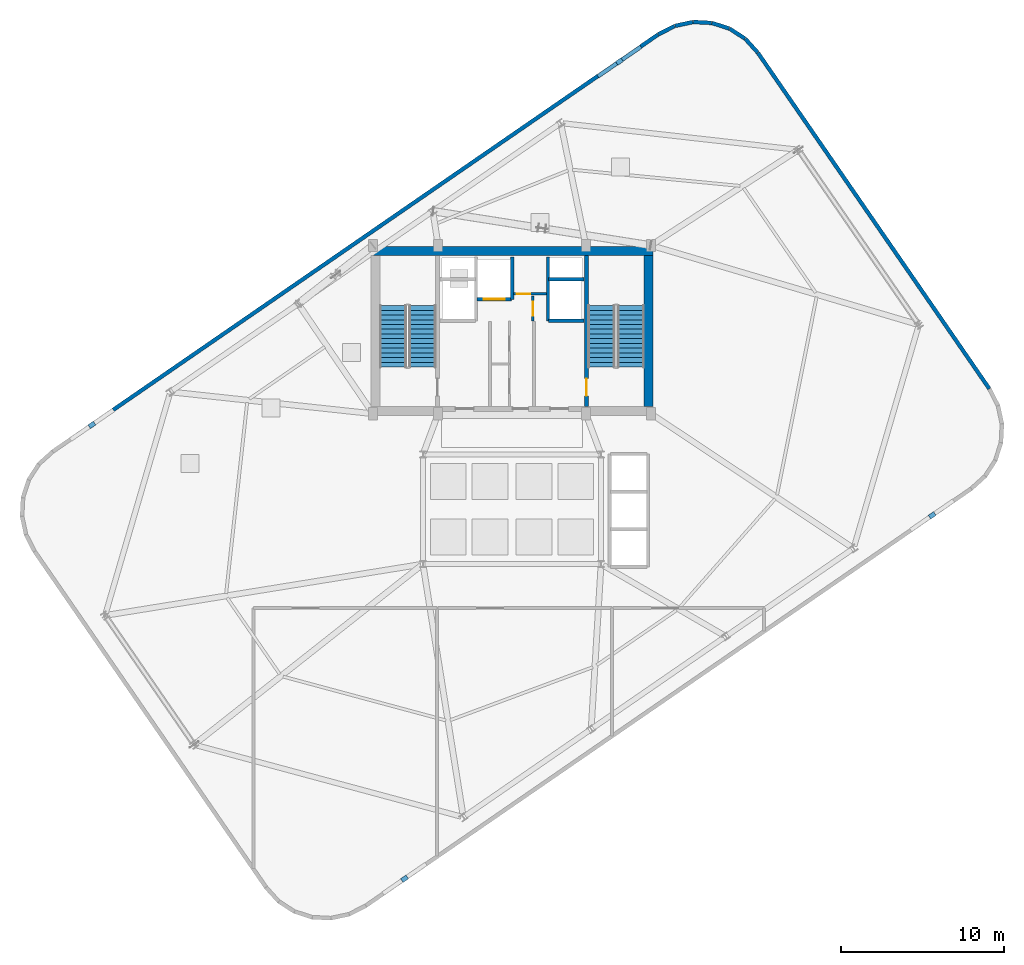
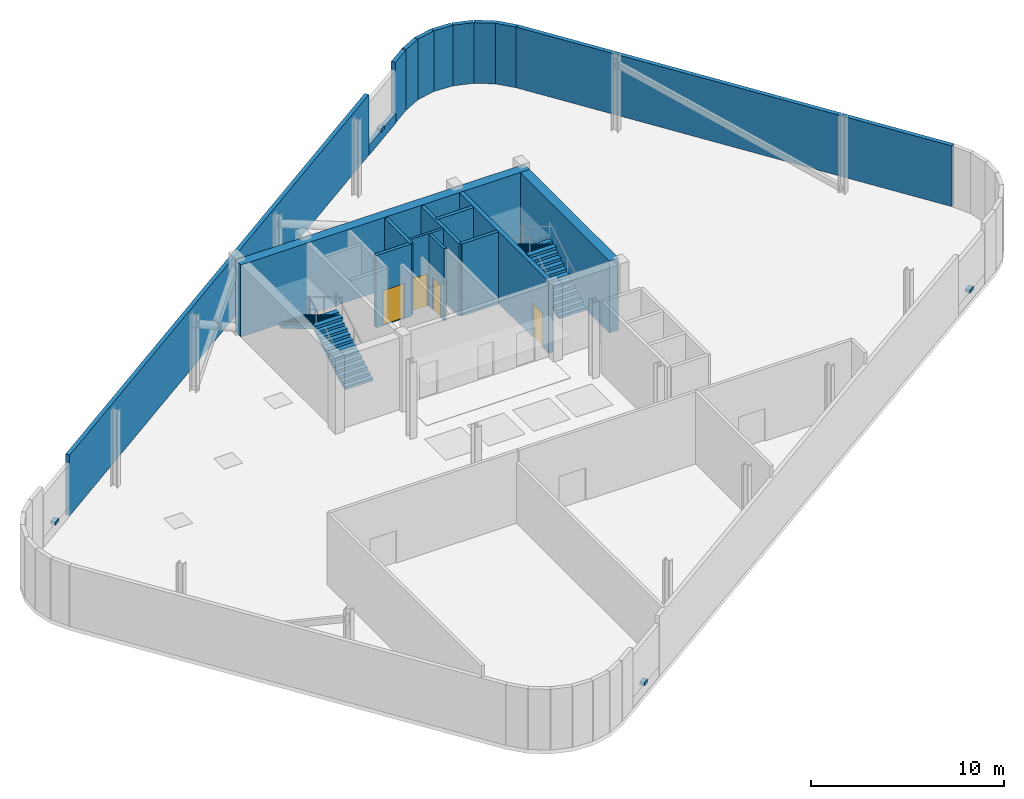
# One storey, part 7 of 9: 20 walls, 4 discrete accessories, 4 doors, 4 stair flights, 4 openings, 2 elements without a shape of their own.
"""IFC4 building model written with IfcOpenShell, lengths in metres."""

import ifcopenshell
import ifcopenshell.guid

model = None  # the IFC model being written
_history = None  # IfcOwnerHistory: only IFC2X3 demands one
_inside = {}  # id of a spatial element -> (the spatial element, [elements in it])
_under = {}  # id of a project, library or spatial element -> (it, [spatial elements below it])
_declared = {}  # id of a project -> (the project, [libraries it declares])
_typed = {}  # id of a type object -> (the type object, [elements of that type])
_made_of = {}  # id of a material, layer set ... -> (it, [elements and type objects made of it])


def new_model(schema):
    """Start an empty IFC model of exactly this schema.

    Asked for "IFC4X3", IfcOpenShell would pick the latest addendum, in which some entities
    have other attributes; the version numbers below select the first issue.
    IFC2X3 requires an IfcOwnerHistory on every rooted entity: one is made here for all.
    """
    global model, _history
    if schema == "IFC4X3":
        model = ifcopenshell.file(schema_version=(4, 3, 0, 0))
    else:
        model = ifcopenshell.file(schema=schema)
    _inside.clear()
    _under.clear()
    _declared.clear()
    _typed.clear()
    _made_of.clear()
    _history = None
    if model.schema == "IFC2X3":
        org = make("IfcOrganization", Name="unknown")
        user = make(
            "IfcPersonAndOrganization",
            ThePerson=make("IfcPerson", FamilyName="unknown"),
            TheOrganization=org,
        )
        app = make(
            "IfcApplication",
            ApplicationDeveloper=org,
            Version="unknown",
            ApplicationFullName="unknown",
            ApplicationIdentifier="unknown",
        )
        _history = make(
            "IfcOwnerHistory",
            OwningUser=user,
            OwningApplication=app,
            ChangeAction="ADDED",
            CreationDate=0,
        )
    return model


def make(cls, **values):
    """One entity of the class cls with the attributes given. An attribute that is None is left unset."""
    return model.create_entity(
        cls, **{name: value for name, value in values.items() if value is not None}
    )


def rooted(cls, **values):
    """An entity with a GlobalId (a new one), such as an element, a storey or a relation."""
    return make(cls, GlobalId=ifcopenshell.guid.new(), OwnerHistory=_history, **values)


def si_unit(unit_type, name, prefix=None):
    """IfcSIUnit, for example si_unit("LENGTHUNIT", "METRE", prefix="MILLI")."""
    return make("IfcSIUnit", UnitType=unit_type, Prefix=prefix, Name=name)


def assignment(units):
    """IfcUnitAssignment: the units of a project."""
    return None if units is None else make("IfcUnitAssignment", Units=units)


def point(xyz):
    """IfcCartesianPoint."""
    return None if xyz is None else make("IfcCartesianPoint", Coordinates=xyz)


def direction(xyz):
    """IfcDirection."""
    return None if xyz is None else make("IfcDirection", DirectionRatios=xyz)


def frame(location, z_axis=None, x_axis=None):
    """IfcAxis2Placement3D, a coordinate frame: its origin and axes. An axis left out is left unset."""
    return make(
        "IfcAxis2Placement3D",
        Location=point(location),
        Axis=direction(z_axis),
        RefDirection=direction(x_axis),
    )


def frame_2d(location, x_axis=None):
    """IfcAxis2Placement2D, a coordinate frame in the plane: its origin and x axis."""
    return make(
        "IfcAxis2Placement2D", Location=point(location), RefDirection=direction(x_axis)
    )


def origin():
    """The frame at (0, 0, 0) with its axes left unset."""
    return frame((0.0, 0.0, 0.0))


def origin_2d():
    """The frame at (0, 0) in the plane with its x axis left unset."""
    return frame_2d((0.0, 0.0))


def place(relative_to, where):
    """IfcLocalPlacement: puts the frame where relative to a parent placement (None: the world)."""
    return make(
        "IfcLocalPlacement", PlacementRelTo=relative_to, RelativePlacement=where
    )


def context(
    kind, dimensions, precision=None, world=None, true_north=None, identifier=None
):
    """IfcGeometricRepresentationContext, for example the 3D "Model" context."""
    return make(
        "IfcGeometricRepresentationContext",
        ContextIdentifier=identifier,
        ContextType=kind,
        CoordinateSpaceDimension=dimensions,
        Precision=precision,
        WorldCoordinateSystem=world,
        TrueNorth=true_north,
    )


def subcontext(parent, identifier, kind, view, scale=None):
    """IfcGeometricRepresentationSubContext, for example "Body" below "Model"."""
    return make(
        "IfcGeometricRepresentationSubContext",
        ContextIdentifier=identifier,
        ContextType=kind,
        ParentContext=parent,
        TargetScale=scale,
        TargetView=view,
    )


def project(units=None, contexts=None):
    """IfcProject with its units and contexts."""
    return rooted(
        "IfcProject",
        Name="project",
        RepresentationContexts=contexts,
        UnitsInContext=assignment(units),
    )


def spatial(cls, under=None, at=None, **own):
    """A site, building, storey or space (cls), placed at a placement, below another one or the project."""
    s = rooted(cls, ObjectPlacement=at, **own)
    if under is not None:
        _under.setdefault(under.id(), (under, []))[1].append(s)
    return s


def polyline(points):
    """IfcPolyline through the points."""
    return make("IfcPolyline", Points=[point(p) for p in points])


def profile(cls, at=None, kind="AREA", **sizes):
    """A parametric profile (cls). Its sizes go by their IFC names, for example OverallWidth=200.0."""
    return make(cls, ProfileType=kind, Position=at, **sizes)


def rectangle(**sizes):
    """IfcRectangleProfileDef."""
    return profile("IfcRectangleProfileDef", **sizes)


def outline(outer, holes=None, kind="AREA"):
    """IfcArbitraryClosedProfileDef: a profile drawn as a closed curve; with holes, ...WithVoids."""
    if holes is None:
        return make("IfcArbitraryClosedProfileDef", ProfileType=kind, OuterCurve=outer)
    return make(
        "IfcArbitraryProfileDefWithVoids",
        ProfileType=kind,
        OuterCurve=outer,
        InnerCurves=holes,
    )


def extrude(swept, where, along, depth):
    """IfcExtrudedAreaSolid: the profile swept, set in the frame where, extruded along a direction by depth."""
    return make(
        "IfcExtrudedAreaSolid",
        SweptArea=swept,
        Position=where,
        ExtrudedDirection=direction(along),
        Depth=depth,
    )


def shape(context_of_items, identifier, shape_type, items):
    """IfcShapeRepresentation: the items that make up one representation, for example the "Body"."""
    return make(
        "IfcShapeRepresentation",
        ContextOfItems=context_of_items,
        RepresentationIdentifier=identifier,
        RepresentationType=shape_type,
        Items=items,
    )


def source(mapping_origin, context_of_items, identifier, shape_type, items):
    """IfcRepresentationMap: a shape defined once, which mapped items show again and again."""
    return make(
        "IfcRepresentationMap",
        MappingOrigin=mapping_origin,
        MappedRepresentation=shape(context_of_items, identifier, shape_type, items),
    )


def transform(
    local_origin,
    x_axis=None,
    y_axis=None,
    z_axis=None,
    scale=None,
    scale2=None,
    scale3=None,
    uniform=True,
):
    """IfcCartesianTransformationOperator3D, or its non-uniform kind. x_axis, y_axis, z_axis: its Axis1, 2, 3."""
    if uniform:
        return make(
            "IfcCartesianTransformationOperator3D",
            Axis1=direction(x_axis),
            Axis2=direction(y_axis),
            LocalOrigin=point(local_origin),
            Scale=scale,
            Axis3=direction(z_axis),
        )
    return make(
        "IfcCartesianTransformationOperator3DnonUniform",
        Axis1=direction(x_axis),
        Axis2=direction(y_axis),
        LocalOrigin=point(local_origin),
        Scale=scale,
        Axis3=direction(z_axis),
        Scale2=scale2,
        Scale3=scale3,
    )


def mapped(mapping_source, mapping_target):
    """IfcMappedItem: shows the shape of a source again, moved by a transform."""
    return make(
        "IfcMappedItem", MappingSource=mapping_source, MappingTarget=mapping_target
    )


def material(Name=None, Category=None):
    """IfcMaterial."""
    return make("IfcMaterial", Name=Name, Category=Category)


def layer(
    of_material, thickness, ventilated=None, Name=None, Category=None, Priority=None
):
    """IfcMaterialLayer: one layer of a wall or slab, of a material (None: an air gap)."""
    return make(
        "IfcMaterialLayer",
        Material=of_material,
        LayerThickness=thickness,
        IsVentilated=ventilated,
        Name=Name,
        Category=Category,
        Priority=Priority,
    )


def layer_set(layers, Name=None):
    """IfcMaterialLayerSet."""
    return make("IfcMaterialLayerSet", MaterialLayers=layers, LayerSetName=Name)


def made_of(thing, what):
    """Note that an element or type object is made of a material, layer set ...; save() writes the relation."""
    if what is not None:
        _made_of.setdefault(what.id(), (what, []))[1].append(thing)
    return thing


def type_object(cls, material=None, **own):
    """A type object (cls), such as IfcWallType, which elements share."""
    return made_of(rooted(cls, **own), material)


def element(
    cls,
    number,
    at=None,
    inside=None,
    cuts=None,
    type_object=None,
    material=None,
    context=None,
    identifier="Body",
    shape_type=None,
    held_by="IfcProductDefinitionShape",
    body=None,
    shapes=None,
    **own,
):
    """One element of the class cls, such as IfcWall. Its Tag is "e" and its number.

    at: its placement. inside: the storey or other place that contains it. cuts: it is an
    opening in that element (IfcRelVoidsElement). A single representation is given by context,
    identifier, shape_type and body (its items); several are given by shapes. held_by: the class
    of the entity that holds the representations. save() writes the other relations.
    """
    e = rooted(cls, Tag="e%d" % number, ObjectPlacement=at, **own)
    if body is not None:
        shapes = [shape(context, identifier, shape_type, body)]
    if shapes is not None:
        e.Representation = make(held_by, Representations=shapes)
    if inside is not None:
        _inside.setdefault(inside.id(), (inside, []))[1].append(e)
    if cuts is not None:
        rooted(
            "IfcRelVoidsElement", RelatingBuildingElement=cuts, RelatedOpeningElement=e
        )
    if type_object is not None:
        _typed.setdefault(type_object.id(), (type_object, []))[1].append(e)
    return made_of(e, material)


def fill(opening, filler):
    """IfcRelFillsElement: the door or window that sits in an opening."""
    return rooted(
        "IfcRelFillsElement",
        RelatingOpeningElement=opening,
        RelatedBuildingElement=filler,
    )


def aggregate(whole, parts):
    """IfcRelAggregates: a whole, such as a stair, and the parts it consists of."""
    return rooted("IfcRelAggregates", RelatingObject=whole, RelatedObjects=parts)


def save(model, path):
    """Write the relations noted so far, then the file.

    IfcRelAggregates (storeys below a building ...), IfcRelContainedInSpatialStructure (elements
    in a storey), IfcRelDefinesByType, IfcRelAssociatesMaterial and IfcRelDeclares: one each for
    every whole, place, type object, material and project.
    """
    for whole, parts in _under.values():
        aggregate(whole, parts)
    for where, things in _inside.values():
        rooted(
            "IfcRelContainedInSpatialStructure",
            RelatedElements=things,
            RelatingStructure=where,
        )
    for kind, things in _typed.values():
        rooted("IfcRelDefinesByType", RelatedObjects=things, RelatingType=kind)
    for what, things in _made_of.values():
        rooted("IfcRelAssociatesMaterial", RelatedObjects=things, RelatingMaterial=what)
    for by, libraries in _declared.values():
        rooted("IfcRelDeclares", RelatingContext=by, RelatedDefinitions=libraries)
    model.write(path)


model = new_model("IFC4")

# Units and contexts
model_context = context("Model", 3, precision=1e-05, world=origin(), true_north=direction((0.0, 1.0)))
body_context = subcontext(model_context, "Body", "Model", "MODEL_VIEW")
ifc_project = project(units=[si_unit("LENGTHUNIT", "METRE"), si_unit("AREAUNIT", "SQUARE_METRE"), si_unit("VOLUMEUNIT", "CUBIC_METRE"), si_unit("PLANEANGLEUNIT", "RADIAN"), si_unit("MASSUNIT", "GRAM", prefix="KILO")], contexts=[model_context])

# Site, building, storey
site_placement = place(None, origin())
site = spatial("IfcSite", under=ifc_project, at=site_placement, CompositionType="ELEMENT")
building_placement = place(site_placement, origin())
building = spatial("IfcBuilding", under=site, at=building_placement, Name="Varnelok Gate Tower", CompositionType="ELEMENT")
storey_placement = place(building_placement, frame((0.0, 0.0, 301.10009765625)))
storey = spatial("IfcBuildingStorey", under=building, at=storey_placement, Name="L77", CompositionType="ELEMENT", Elevation=301.10009765625)

# Walls
ifc_material_1 = material(Name="Concrete C45/55", Category="concrete")
ifc_layer_1 = layer(ifc_material_1, 0.239990234375)
ifc_layer_set_1 = layer_set([ifc_layer_1], Name="Concrete C45/55")
wall_type_1 = type_object("IfcWallType", Name="EW-PLANT-240", PredefinedType="SOLIDWALL", material=ifc_layer_set_1)
wall_1_placement = place(storey_placement, frame((44.45947265625, 49.3955078125, 0.0), z_axis=(0.0, 0.0, 1.0), x_axis=(0.82350284866, 0.567312134763, 0.0)))
element("IfcWall", 1, at=wall_1_placement, inside=storey, type_object=wall_type_1, Name="L77 Plant Louvre Sill Wall N2", PredefinedType="SOLIDWALL", context=body_context, shape_type="SweptSolid", body=[
    extrude(rectangle(XDim=3.199951171875, YDim=0.239990234375, at=frame_2d((1.60009765625, 0.0))), origin(), (0.0, 0.0, 1.0), 0.64990234375),
])
wall_2_placement = place(storey_placement, frame((68.40869140625, 30.281005859375, 0.0), z_axis=(0.0, 0.0, 1.0), x_axis=(-0.567267940859, 0.823533292146, 0.0)))
element("IfcWall", 2, at=wall_2_placement, inside=storey, type_object=wall_type_1, Name="L77 Perimeter Facade Closure Wall 16", PredefinedType="SOLIDWALL", context=body_context, shape_type="SweptSolid", body=[
    extrude(rectangle(XDim=24.95947265625, YDim=0.239990234375, at=frame_2d((12.479736328125, 0.0))), origin(), (0.0, 0.0, 1.0), 3.829833984375),
])
wall_3_placement = place(storey_placement, frame((54.2333984375, 50.8544921875, 0.0), z_axis=(0.0, 0.0, 1.0), x_axis=(-0.669970349923, 0.742387857002, 0.0)))
element("IfcWall", 3, at=wall_3_placement, inside=storey, type_object=wall_type_1, Name="L77 Perimeter Facade Closure Wall 17", PredefinedType="SOLIDWALL", context=body_context, shape_type="SweptSolid", body=[
    extrude(rectangle(XDim=1.1259765625, YDim=0.239990234375, at=frame_2d((0.56298828125, 0.0))), origin(), (0.0, 0.0, 1.0), 3.829833984375),
])
wall_4_placement = place(storey_placement, frame((53.4580078125, 51.7041015625, 0.0), z_axis=(0.0, 0.0, 1.0), x_axis=(-0.839236036225, 0.543767299037, 0.0)))
element("IfcWall", 4, at=wall_4_placement, inside=storey, type_object=wall_type_1, Name="L77 Perimeter Facade Closure Wall 18", PredefinedType="SOLIDWALL", context=body_context, shape_type="SweptSolid", body=[
    extrude(rectangle(XDim=1.117919921875, YDim=0.239990234375, at=frame_2d((0.55908203125, 0.0))), origin(), (0.0, 0.0, 1.0), 3.829833984375),
])
for number, where, z_axis, x_axis, name in (
    (5, (52.495849609375, 52.31982421875, 0.0), (0.0, 0.0, 1.0), (-0.951356078726, 0.308093510921, 0.0), "L77 Perimeter Facade Closure Wall 19"),
    (6, (51.4072265625, 52.66552734375, 0.0), (0.0, 0.0, 1.0), (-0.998682791079, 0.051309675536, 0.0), "L77 Perimeter Facade Closure Wall 20"),
    (7, (50.26611328125, 52.717529296875, 0.0), (0.0, 0.0, 1.0), (-0.977926852423, -0.208947532433, 0.0), "L77 Perimeter Facade Closure Wall 21"),
):
    element("IfcWall", number, at=place(storey_placement, frame(where, z_axis=z_axis, x_axis=x_axis)), inside=storey, type_object=wall_type_1, Name=name, PredefinedType="SOLIDWALL", context=body_context, shape_type="SweptSolid", body=[
        extrude(rectangle(XDim=1.1181640625, YDim=0.239990234375, at=frame_2d((0.55908203125, 0.0))), origin(), (0.0, 0.0, 1.0), 3.829833984375),
    ])
wall_5_placement = place(storey_placement, frame((49.150390625, 52.47265625, 0.0), z_axis=(0.0, 0.0, 1.0), x_axis=(-0.890491286744, -0.455000294761, 0.0)))
element("IfcWall", 8, at=wall_5_placement, inside=storey, type_object=wall_type_1, Name="L77 Perimeter Facade Closure Wall 22", PredefinedType="SOLIDWALL", context=body_context, shape_type="SweptSolid", body=[
    extrude(rectangle(XDim=1.126220703125, YDim=0.239990234375, at=frame_2d((0.56298828125, 0.0))), origin(), (0.0, 0.0, 1.0), 3.829833984375),
])
wall_6_placement = place(storey_placement, frame((48.126953125, 51.946044921875, 0.0), z_axis=(0.0, 0.0, 1.0), x_axis=(-0.823535605794, -0.567264581998, 0.0)))
element("IfcWall", 9, at=wall_6_placement, inside=storey, type_object=wall_type_1, Name="L77 Perimeter Facade Closure Wall 23", PredefinedType="SOLIDWALL", context=body_context, shape_type="SweptSolid", body=[
    extrude(rectangle(XDim=1.26708984375, YDim=0.239990234375, at=frame_2d((0.633544921875, 0.0))), origin(), (0.0, 0.0, 1.0), 3.829833984375),
])
wall_7_placement = place(storey_placement, frame((44.447998046875, 49.412109375, 0.0), z_axis=(0.0, 0.0, 1.0), x_axis=(-0.823531813074, -0.567270088102, 0.0)))
element("IfcWall", 10, at=wall_7_placement, inside=storey, type_object=wall_type_1, Name="L77 Perimeter Facade Closure Wall 24", PredefinedType="SOLIDWALL", context=body_context, shape_type="SweptSolid", body=[
    extrude(rectangle(XDim=36.01025390625, YDim=0.239990234375, at=frame_2d((18.005126953125, 0.0))), origin(), (0.0, 0.0, 1.0), 3.829833984375),
])

# Wall, opening, door
ifc_material_2 = material(Name="Gypsum Plasterboard Acoustic Partition", Category="gypsum")
ifc_layer_2 = layer(ifc_material_2, 0.14990234375)
ifc_layer_set_2 = layer_set([ifc_layer_2], Name="Gypsum Plasterboard Acoustic Partition")
wall_type_2 = type_object("IfcWallType", Name="PW-PART-150", PredefinedType="PARTITIONING", material=ifc_layer_set_2)
wall_8_placement = place(storey_placement, frame((39.300048828125, 36.080078125, 0.0), z_axis=(0.0, 0.0, 1.0), x_axis=(1.0, 0.0, 0.0)))
wall_8 = element("IfcWall", 11, at=wall_8_placement, inside=storey, type_object=wall_type_2, Name="L77 Electrical Closet South Wall", PredefinedType="PARTITIONING", context=body_context, shape_type="SweptSolid", body=[
    extrude(rectangle(XDim=2.02001953125, YDim=0.14990234375, at=frame_2d((1.010009765625, 0.0))), origin(), (0.0, 0.0, 1.0), 4.5498046875),
])
opening_1_placement = place(wall_8_placement, frame((0.179931640625, 0.0, 0.0)))
opening_1 = element("IfcOpeningElement", 12, at=opening_1_placement, cuts=wall_8, Name="Opening D-RS", PredefinedType="OPENING", context=body_context, shape_type="SweptSolid", body=[
    extrude(rectangle(XDim=0.85009765625, YDim=2.050048828125, at=frame_2d((0.425048828125, 1.02490234375))), frame((0.0, 0.0849609375, 0.0), z_axis=(0.0, -1.0, 0.0), x_axis=(1.0, 0.0, 0.0)), (0.0, 0.0, 1.0), 0.169921875),
])
ifc_material_3 = material(Name="Galvanized Steel Grade S350GD", Category="steel")
door_type_1 = type_object("IfcDoorType", Name="DR-RISER-850", OperationType="NOTDEFINED", PredefinedType="DOOR", material=ifc_material_3)
door_1_placement = place(opening_1_placement, origin())
door_1 = element("IfcDoor", 13, at=door_1_placement, inside=storey, type_object=door_type_1, Name="L77 Electrical Closet Door", OperationType="SINGLE_SWING_RIGHT", OverallHeight=2.050048828125, OverallWidth=0.85009765625, PredefinedType="DOOR", context=body_context, shape_type="SweptSolid", body=[
    extrude(rectangle(XDim=0.85009765625, YDim=2.050048828125, at=frame_2d((0.425048828125, 1.02490234375))), frame((0.0, 0.02490234375, 0.0), z_axis=(0.0, -1.0, 0.0), x_axis=(1.0, 0.0, 0.0)), (0.0, 0.0, 1.0), 0.050048828125),
])
fill(opening_1, door_1)

wall_9_placement = place(storey_placement, frame((40.47998046875, 34.43994140625, 0.0), z_axis=(0.0, 0.0, 1.0), x_axis=(0.0, 1.0, 0.0)))
wall_9 = element("IfcWall", 14, at=wall_9_placement, inside=storey, type_object=wall_type_2, Name="L77 Telecoms Closet West Wall", PredefinedType="PARTITIONING", context=body_context, shape_type="SweptSolid", body=[
    extrude(rectangle(XDim=1.52001953125, YDim=0.14990234375, at=frame_2d((0.760009765625, 0.0))), origin(), (0.0, 0.0, 1.0), 4.5498046875),
])
opening_2_placement = place(wall_9_placement, frame((0.320068359375, 0.0, 0.0)))
opening_2 = element("IfcOpeningElement", 15, at=opening_2_placement, cuts=wall_9, Name="Opening D-RS", PredefinedType="OPENING", context=body_context, shape_type="SweptSolid", body=[
    extrude(rectangle(XDim=0.85009765625, YDim=2.050048828125, at=frame_2d((0.425048828125, 1.02490234375))), frame((0.0, 0.0849609375, 0.0), z_axis=(0.0, -1.0, 0.0), x_axis=(1.0, 0.0, 0.0)), (0.0, 0.0, 1.0), 0.169921875),
])
door_2_placement = place(opening_2_placement, origin())
door_2 = element("IfcDoor", 16, at=door_2_placement, inside=storey, type_object=door_type_1, Name="L77 Telecoms Closet Door", OperationType="SINGLE_SWING_LEFT", OverallHeight=2.050048828125, OverallWidth=0.85009765625, PredefinedType="DOOR", context=body_context, shape_type="SweptSolid", body=[
    extrude(rectangle(XDim=0.85009765625, YDim=2.050048828125, at=frame_2d((0.425048828125, 1.02490234375))), frame((0.0, 0.02490234375, 0.0), z_axis=(0.0, -1.0, 0.0), x_axis=(1.0, 0.0, 0.0)), (0.0, 0.0, 1.0), 0.050048828125),
])
fill(opening_2, door_2)

# Walls
ifc_material_4 = material(Name="Concrete C35/45", Category="concrete")
ifc_layer_3 = layer(ifc_material_4, 0.199951171875)
ifc_layer_set_3 = layer_set([ifc_layer_3], Name="Concrete C35/45")
wall_type_3 = type_object("IfcWallType", Name="PW-SHAFT-200", PredefinedType="PARTITIONING", material=ifc_layer_set_3)
for number, where, z_axis, x_axis, name in (
    (17, (41.419921875, 34.43994140625, 0.0), (0.0, 0.0, 1.0), (1.0, 0.0, 0.0), "L77 FF2 Shaft Front Wall"),
    (18, (41.419921875, 36.97998046875, 0.0), (0.0, 0.0, 1.0), (1.0, 0.0, 0.0), "L77 FF2 Shaft North Wall"),
):
    element("IfcWall", number, at=place(storey_placement, frame(where, z_axis=z_axis, x_axis=x_axis)), inside=storey, type_object=wall_type_3, Name=name, PredefinedType="PARTITIONING", context=body_context, shape_type="SweptSolid", body=[
        extrude(rectangle(XDim=2.18017578125, YDim=0.199951171875, at=frame_2d((1.090087890625, 0.0))), origin(), (0.0, 0.0, 1.0), 4.5498046875),
    ])
wall_10_placement = place(storey_placement, frame((41.39990234375, 34.43994140625, 0.0), z_axis=(0.0, 0.0, 1.0), x_axis=(0.0, 1.0, 0.0)))
element("IfcWall", 19, at=wall_10_placement, inside=storey, type_object=wall_type_3, Name="L77 FF2 Shaft Side Wall", PredefinedType="PARTITIONING", context=body_context, shape_type="SweptSolid", body=[
    extrude(rectangle(XDim=3.900146484375, YDim=0.199951171875, at=frame_2d((1.9501953125, 0.0))), origin(), (0.0, 0.0, 1.0), 4.5498046875),
])

# Wall, opening, door
wall_11_placement = place(storey_placement, frame((37.06005859375, 35.75, 0.0), z_axis=(0.0, 0.0, 1.0), x_axis=(1.0, 0.0, 0.0)))
wall_11 = element("IfcWall", 20, at=wall_11_placement, inside=storey, type_object=wall_type_3, Name="L77 SV1 Shaft Front Wall", PredefinedType="PARTITIONING", context=body_context, shape_type="SweptSolid", body=[
    extrude(rectangle(XDim=2.119873046875, YDim=0.199951171875, at=frame_2d((1.06005859375, 0.0))), origin(), (0.0, 0.0, 1.0), 4.5498046875),
])
opening_3_placement = place(wall_11_placement, frame((0.39990234375, 0.0, 0.0)))
opening_3 = element("IfcOpeningElement", 21, at=opening_3_placement, cuts=wall_11, Name="Opening LD-SV1", PredefinedType="OPENING", context=body_context, shape_type="SweptSolid", body=[
    extrude(rectangle(XDim=1.300048828125, YDim=2.199951171875, at=frame_2d((0.64990234375, 1.10009765625))), frame((0.0, 0.10986328125, 0.0), z_axis=(0.0, -1.0, 0.0), x_axis=(1.0, 0.0, 0.0)), (0.0, 0.0, 1.0), 0.219970703125),
])
door_type_2 = type_object("IfcDoorType", Name="DR-LIFT-SV1300", OperationType="SLIDING_TO_LEFT", PredefinedType="DOOR", material=ifc_material_3)
door_3_placement = place(opening_3_placement, origin())
door_3 = element("IfcDoor", 22, at=door_3_placement, inside=storey, type_object=door_type_2, Name="L77 Service Lift Landing Door LD-SV1", OperationType="SLIDING_TO_LEFT", OverallHeight=2.199951171875, OverallWidth=1.300048828125, PredefinedType="DOOR", context=body_context, shape_type="SweptSolid", body=[
    extrude(rectangle(XDim=1.300048828125, YDim=2.199951171875, at=frame_2d((0.64990234375, 1.10009765625))), frame((0.0, 0.02490234375, 0.0), z_axis=(0.0, -1.0, 0.0), x_axis=(1.0, 0.0, 0.0)), (0.0, 0.0, 1.0), 0.050048828125),
])
fill(opening_3, door_3)

# Walls
wall_12_placement = place(storey_placement, frame((39.219970703125, 35.75, 0.0), z_axis=(0.0, 0.0, 1.0), x_axis=(0.0, 1.0, 0.0)))
element("IfcWall", 23, at=wall_12_placement, inside=storey, type_object=wall_type_3, Name="L77 SV1 Shaft East Wall", PredefinedType="PARTITIONING", context=body_context, shape_type="SweptSolid", body=[
    extrude(rectangle(XDim=2.590087890625, YDim=0.199951171875, at=frame_2d((1.294921875, 0.0))), origin(), (0.0, 0.0, 1.0), 4.5498046875),
])
ifc_material_5 = material(Name="Concrete C60/75", Category="concrete")
ifc_layer_4 = layer(ifc_material_5, 0.550048828125)
ifc_layer_set_4 = layer_set([ifc_layer_4], Name="Concrete C60/75")
wall_type_4 = type_object("IfcWallType", Name="SW-CORE-550", PredefinedType="SHEAR", material=ifc_layer_set_4)
wall_13_placement = place(storey_placement, frame((30.580078125, 38.695068359375, 0.0), z_axis=(0.0, 0.0, 1.0), x_axis=(1.0, 0.0, 0.0)))
element("IfcWall", 24, at=wall_13_placement, inside=storey, type_object=wall_type_4, Name="L77 Rear Core North Shear Wall", PredefinedType="SHEAR", context=body_context, shape_type="SweptSolid", body=[
    extrude(rectangle(XDim=17.239990234375, YDim=0.550048828125, at=frame_2d((8.6201171875, 0.0))), origin(), (0.0, 0.0, 1.0), 4.5498046875),
])
wall_14_placement = place(storey_placement, frame((47.544921875, 29.199951171875, 0.0), z_axis=(0.0, 0.0, 1.0), x_axis=(0.0, 1.0, 0.0)))
element("IfcWall", 25, at=wall_14_placement, inside=storey, type_object=wall_type_4, Name="L77 Rear Core East Shear Wall", PredefinedType="SHEAR", context=body_context, shape_type="SweptSolid", body=[
    extrude(rectangle(XDim=9.219970703125, YDim=0.550048828125, at=frame_2d((4.60986328125, 0.0))), origin(), (0.0, 0.0, 1.0), 4.5498046875),
])

# Wall, opening, door
ifc_layer_5 = layer(ifc_material_5, 0.25)
ifc_layer_set_5 = layer_set([ifc_layer_5], Name="Concrete C60/75")
wall_type_5 = type_object("IfcWallType", Name="SW-SHAFT-250", PredefinedType="SHEAR", material=ifc_layer_set_5)
wall_15_placement = place(storey_placement, frame((43.760009765625, 29.199951171875, 0.0), z_axis=(0.0, 0.0, 1.0), x_axis=(0.0, 1.0, 0.0)))
wall_15 = element("IfcWall", 26, at=wall_15_placement, inside=storey, type_object=wall_type_5, Name="L77 Stair ST-2 West Shear Wall", PredefinedType="SHEAR", context=body_context, shape_type="SweptSolid", body=[
    extrude(rectangle(XDim=9.219970703125, YDim=0.25, at=frame_2d((4.60986328125, 0.0))), origin(), (0.0, 0.0, 1.0), 4.5498046875),
])
opening_4_placement = place(wall_15_placement, frame((0.64990234375, 0.0, 0.0)))
opening_4 = element("IfcOpeningElement", 27, at=opening_4_placement, cuts=wall_15, Name="Opening D-ST", PredefinedType="OPENING", context=body_context, shape_type="SweptSolid", body=[
    extrude(rectangle(XDim=1.050048828125, YDim=2.14990234375, at=frame_2d((0.52490234375, 1.074951171875))), frame((0.0, 0.135009765625, 0.0), z_axis=(0.0, -1.0, 0.0), x_axis=(1.0, 0.0, 0.0)), (0.0, 0.0, 1.0), 0.27001953125),
])
door_type_3 = type_object("IfcDoorType", Name="DR-STAIR-1050", OperationType="NOTDEFINED", PredefinedType="DOOR", material=ifc_material_3)
door_4_placement = place(opening_4_placement, origin())
door_4 = element("IfcDoor", 28, at=door_4_placement, inside=storey, type_object=door_type_3, Name="L77 Exit Stair ST-2 Fire Door", OperationType="SINGLE_SWING_RIGHT", OverallHeight=2.14990234375, OverallWidth=1.050048828125, PredefinedType="DOOR", context=body_context, shape_type="SweptSolid", body=[
    extrude(rectangle(XDim=1.050048828125, YDim=2.14990234375, at=frame_2d((0.52490234375, 1.074951171875))), frame((0.0, 0.02490234375, 0.0), z_axis=(0.0, -1.0, 0.0), x_axis=(1.0, 0.0, 0.0)), (0.0, 0.0, 1.0), 0.050048828125),
])
fill(opening_4, door_4)

# Stair, stair flights
ifc_material_6 = material(Name="Concrete C50/60", Category="concrete")
stair_type = type_object("IfcStairType", Name="STR-CORE-1650", PredefinedType="HALF_TURN_STAIR", material=ifc_material_6)
stair_1_placement = place(storey_placement, origin())
stair_1 = element("IfcStair", 29, at=stair_1_placement, inside=storey, type_object=stair_type, Name="L77 Exit Stair ST-1", PredefinedType="HALF_TURN_STAIR")
stair_flight_type = type_object("IfcStairFlightType", Name="SFL-CORE-1650", PredefinedType="STRAIGHT", material=ifc_material_6)
stair_flight_1_placement = place(storey_placement, frame((33.72509765625, 31.60009765625, 0.0), z_axis=(0.0, 0.0, 1.0), x_axis=(0.0, 1.0, 0.0)))
stair_flight_1 = element("IfcStairFlight", 30, at=stair_flight_1_placement, type_object=stair_flight_type, Name="ST-1 flight 1", NumberOfRisers=14, NumberOfTreads=13, PredefinedType="STRAIGHT", RiserHeight=0.171428571, TreadLength=0.29, context=body_context, shape_type="SweptSolid", body=[
    extrude(outline(polyline([(0.0, 0.0), (0.0, 0.17138671875), (0.2900390625, 0.17138671875), (0.2900390625, 0.3427734375), (0.580078125, 0.3427734375), (0.580078125, 0.514404296875), (0.8701171875, 0.514404296875), (0.8701171875, 0.685791015625), (1.159912109375, 0.685791015625), (1.159912109375, 0.857177734375), (1.449951171875, 0.857177734375), (1.449951171875, 1.028564453125), (1.739990234375, 1.028564453125), (1.739990234375, 1.199951171875), (2.030029296875, 1.199951171875), (2.030029296875, 1.371337890625), (2.320068359375, 1.371337890625), (2.320068359375, 1.54296875), (2.610107421875, 1.54296875), (2.610107421875, 1.71435546875), (2.89990234375, 1.71435546875), (2.89990234375, 1.8857421875), (3.18994140625, 1.8857421875), (3.18994140625, 2.05712890625), (3.47998046875, 2.05712890625), (3.47998046875, 2.228515625), (3.77001953125, 2.228515625), (3.77001953125, 2.39990234375), (3.77001953125, 2.054443359375), (0.294677734375, 0.0), (0.0, 0.0)])), frame((0.0, 0.824951171875, 0.0), z_axis=(0.0, -1.0, 0.0), x_axis=(1.0, 0.0, 0.0)), (0.0, 0.0, 1.0), 1.64990234375),
])
stair_flight_2_placement = place(storey_placement, frame((31.925048828125, 35.3701171875, 2.39990234375), z_axis=(0.0, 0.0, 1.0), x_axis=(0.0, -1.0, 0.0)))
stair_flight_2 = element("IfcStairFlight", 31, at=stair_flight_2_placement, type_object=stair_flight_type, Name="ST-1 flight 2", NumberOfRisers=14, NumberOfTreads=13, PredefinedType="STRAIGHT", RiserHeight=0.171428571, TreadLength=0.29, context=body_context, shape_type="SweptSolid", body=[
    extrude(outline(polyline([(0.0, 0.0), (0.0, 0.17138671875), (0.2900390625, 0.17138671875), (0.2900390625, 0.3427734375), (0.580078125, 0.3427734375), (0.580078125, 0.514404296875), (0.8701171875, 0.514404296875), (0.8701171875, 0.685791015625), (1.159912109375, 0.685791015625), (1.159912109375, 0.857177734375), (1.449951171875, 0.857177734375), (1.449951171875, 1.028564453125), (1.739990234375, 1.028564453125), (1.739990234375, 1.199951171875), (2.030029296875, 1.199951171875), (2.030029296875, 1.371337890625), (2.320068359375, 1.371337890625), (2.320068359375, 1.54296875), (2.610107421875, 1.54296875), (2.610107421875, 1.71435546875), (2.89990234375, 1.71435546875), (2.89990234375, 1.8857421875), (3.18994140625, 1.8857421875), (3.18994140625, 2.05712890625), (3.47998046875, 2.05712890625), (3.47998046875, 2.228515625), (3.77001953125, 2.228515625), (3.77001953125, 2.39990234375), (3.77001953125, 2.054443359375), (0.294677734375, 0.0), (0.0, 0.0)])), frame((0.0, 0.824951171875, 0.0), z_axis=(0.0, -1.0, 0.0), x_axis=(1.0, 0.0, 0.0)), (0.0, 0.0, 1.0), 1.64990234375),
])
aggregate(stair_1, [stair_flight_1, stair_flight_2])

stair_2_placement = place(storey_placement, origin())
stair_2 = element("IfcStair", 32, at=stair_2_placement, inside=storey, type_object=stair_type, Name="L77 Exit Stair ST-2", PredefinedType="HALF_TURN_STAIR")
stair_flight_3_placement = place(storey_placement, frame((46.47509765625, 31.60009765625, 0.0), z_axis=(0.0, 0.0, 1.0), x_axis=(0.0, 1.0, 0.0)))
stair_flight_3 = element("IfcStairFlight", 33, at=stair_flight_3_placement, type_object=stair_flight_type, Name="ST-2 flight 1", NumberOfRisers=14, NumberOfTreads=13, PredefinedType="STRAIGHT", RiserHeight=0.171428571, TreadLength=0.29, context=body_context, shape_type="SweptSolid", body=[
    extrude(outline(polyline([(0.0, 0.0), (0.0, 0.17138671875), (0.2900390625, 0.17138671875), (0.2900390625, 0.3427734375), (0.580078125, 0.3427734375), (0.580078125, 0.514404296875), (0.8701171875, 0.514404296875), (0.8701171875, 0.685791015625), (1.159912109375, 0.685791015625), (1.159912109375, 0.857177734375), (1.449951171875, 0.857177734375), (1.449951171875, 1.028564453125), (1.739990234375, 1.028564453125), (1.739990234375, 1.199951171875), (2.030029296875, 1.199951171875), (2.030029296875, 1.371337890625), (2.320068359375, 1.371337890625), (2.320068359375, 1.54296875), (2.610107421875, 1.54296875), (2.610107421875, 1.71435546875), (2.89990234375, 1.71435546875), (2.89990234375, 1.8857421875), (3.18994140625, 1.8857421875), (3.18994140625, 2.05712890625), (3.47998046875, 2.05712890625), (3.47998046875, 2.228515625), (3.77001953125, 2.228515625), (3.77001953125, 2.39990234375), (3.77001953125, 2.054443359375), (0.294677734375, 0.0), (0.0, 0.0)])), frame((0.0, 0.824951171875, 0.0), z_axis=(0.0, -1.0, 0.0), x_axis=(1.0, 0.0, 0.0)), (0.0, 0.0, 1.0), 1.64990234375),
])
stair_flight_4_placement = place(storey_placement, frame((44.675048828125, 35.3701171875, 2.39990234375), z_axis=(0.0, 0.0, 1.0), x_axis=(0.0, -1.0, 0.0)))
stair_flight_4 = element("IfcStairFlight", 34, at=stair_flight_4_placement, type_object=stair_flight_type, Name="ST-2 flight 2", NumberOfRisers=14, NumberOfTreads=13, PredefinedType="STRAIGHT", RiserHeight=0.171428571, TreadLength=0.29, context=body_context, shape_type="SweptSolid", body=[
    extrude(outline(polyline([(0.0, 0.0), (0.0, 0.17138671875), (0.2900390625, 0.17138671875), (0.2900390625, 0.3427734375), (0.580078125, 0.3427734375), (0.580078125, 0.514404296875), (0.8701171875, 0.514404296875), (0.8701171875, 0.685791015625), (1.159912109375, 0.685791015625), (1.159912109375, 0.857177734375), (1.449951171875, 0.857177734375), (1.449951171875, 1.028564453125), (1.739990234375, 1.028564453125), (1.739990234375, 1.199951171875), (2.030029296875, 1.199951171875), (2.030029296875, 1.371337890625), (2.320068359375, 1.371337890625), (2.320068359375, 1.54296875), (2.610107421875, 1.54296875), (2.610107421875, 1.71435546875), (2.89990234375, 1.71435546875), (2.89990234375, 1.8857421875), (3.18994140625, 1.8857421875), (3.18994140625, 2.05712890625), (3.47998046875, 2.05712890625), (3.47998046875, 2.228515625), (3.77001953125, 2.228515625), (3.77001953125, 2.39990234375), (3.77001953125, 2.054443359375), (0.294677734375, 0.0), (0.0, 0.0)])), frame((0.0, 0.824951171875, 0.0), z_axis=(0.0, -1.0, 0.0), x_axis=(1.0, 0.0, 0.0)), (0.0, 0.0, 1.0), 1.64990234375),
])
aggregate(stair_2, [stair_flight_3, stair_flight_4])

# Discrete accessories
ifc_material_7 = material(Name="Structural Steel ASTM A500 Grade C", Category="steel")
discrete_accessory_type = type_object("IfcDiscreteAccessoryType", Name="ACC-BAGUETTE-BRK", PredefinedType="BRACKET", material=ifc_material_7)
shared_shape = source(origin(), body_context, "Body", "SweptSolid", [
    extrude(rectangle(XDim=0.39990234375, YDim=0.280029296875, at=origin_2d()), origin(), (0.0, 0.0, 1.0), 0.199951171875),
])
for number, where, z_axis, x_axis, name in (
    (35, (32.622802734375, 0.296875, 0.5498046875), (0.0, 0.0, 1.0), (0.823532597628, 0.567268949127, 0.0), "L77 Acoustic Louvre Cleat Bracket S1"),
    (36, (64.905517578125, 22.53369140625, 0.5498046875), (0.0, 0.0, 1.0), (0.823532597628, 0.567268949127, 0.0), "L77 Acoustic Louvre Cleat Bracket S2"),
    (37, (13.49462890625, 28.06640625, 0.5498046875), (0.0, 0.0, 1.0), (0.823532597628, 0.567268949127, 0.0), "L77 Acoustic Louvre Cleat Bracket N1"),
    (38, (45.777099609375, 50.30322265625, 0.5498046875), (0.0, 0.0, 1.0), (0.823532597628, 0.567268949127, 0.0), "L77 Acoustic Louvre Cleat Bracket N2"),
):
    element("IfcDiscreteAccessory", number, at=place(storey_placement, frame(where, z_axis=z_axis, x_axis=x_axis)), inside=storey, type_object=discrete_accessory_type, Name=name, PredefinedType="BRACKET", context=body_context, shape_type="MappedRepresentation", body=[
        mapped(shared_shape, transform((0.0, 0.0, 0.0), scale=1.0)),
    ])

save(model, "model.ifc")
